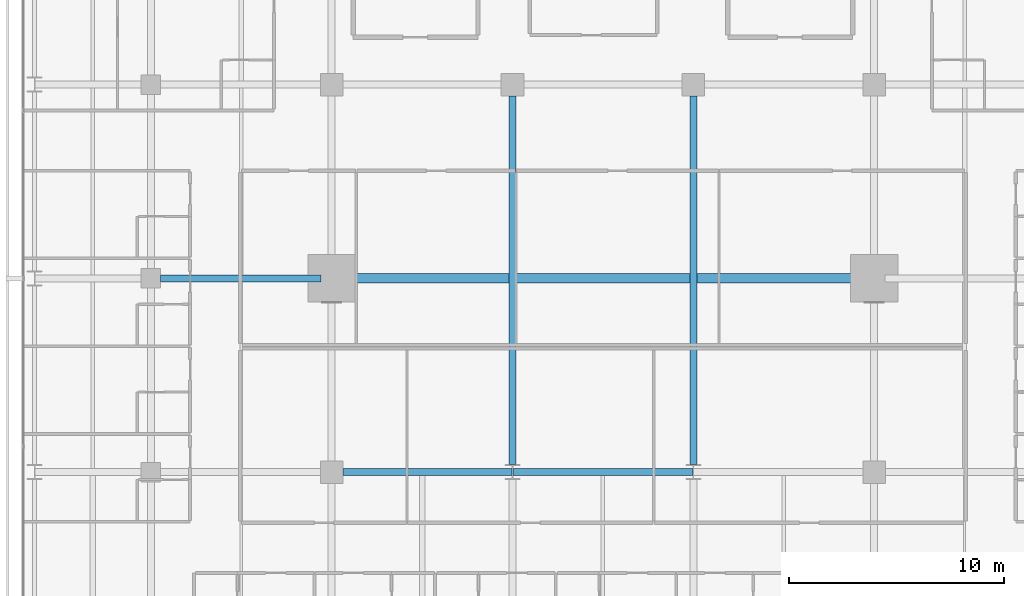
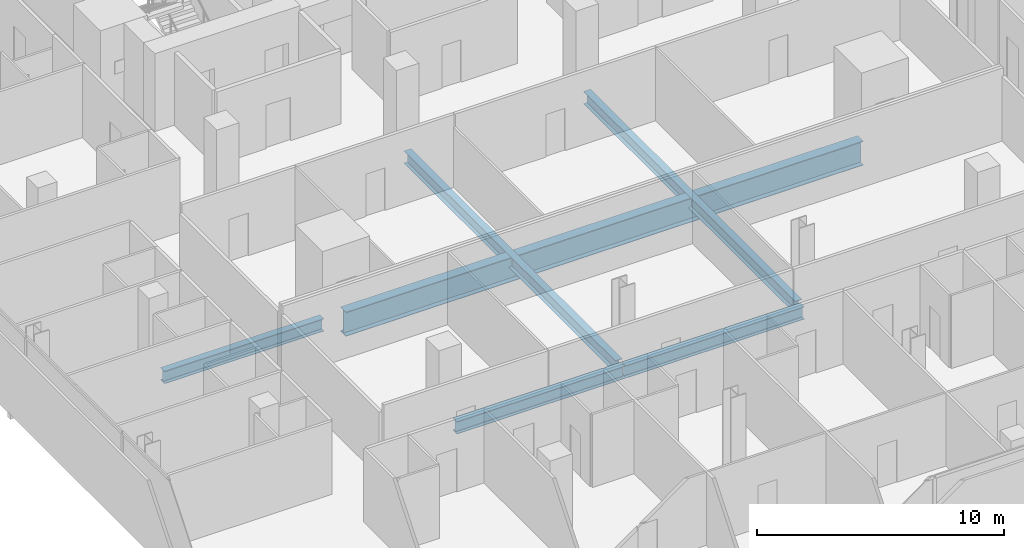
# One storey, part 13 of 40: 6 beams.
"""IFC4 building model written with IfcOpenShell, lengths in metres."""

from ifc_helpers import new_model, si_unit, direction, frame, origin, origin_2d, place, context, subcontext, project, spatial, i_section, extrude, material, material_profile, profile_set, type_object, element, save


model = new_model("IFC4")

# Units and contexts
model_context = context("Model", 3, precision=1e-05, world=origin(), true_north=direction((0.0, 1.0)))
body_context = subcontext(model_context, "Body", "Model", "MODEL_VIEW")
ifc_project = project(units=[si_unit("LENGTHUNIT", "METRE"), si_unit("AREAUNIT", "SQUARE_METRE"), si_unit("VOLUMEUNIT", "CUBIC_METRE"), si_unit("PLANEANGLEUNIT", "RADIAN"), si_unit("MASSUNIT", "GRAM", prefix="KILO")], contexts=[model_context])

# Site, building, storey
site_placement = place(None, origin())
site = spatial("IfcSite", under=ifc_project, at=site_placement, CompositionType="ELEMENT")
building_placement = place(site_placement, origin())
building = spatial("IfcBuilding", under=site, at=building_placement, Name="Maruvema Waterfront Hotel and Observation Tower", CompositionType="ELEMENT")
storey_placement = place(building_placement, frame((0.0, 0.0, 53.89990234375)))
storey = spatial("IfcBuildingStorey", under=building, at=storey_placement, Name="L12", CompositionType="ELEMENT", Elevation=53.89990234375)

# Beams
ifc_material_1 = material(Name="Steel ASTM A572 Grade 50", Category="steel")
ifc_material_profile_1 = material_profile(ifc_material_1, i_section(OverallWidth=0.326904296875, OverallDepth=0.6220703125, WebThickness=0.015380859375, FlangeThickness=0.0244140625, FilletRadius=0.01806640625, at=origin_2d()), Name="W610x195.0")
ifc_profile_set_1 = profile_set([ifc_material_profile_1], Name="Steel ASTM A572 Grade 50")
beam_type_1 = type_object("IfcBeamType", Name="Primary Floor Girder W610x195.0", PredefinedType="BEAM", material=ifc_profile_set_1)
beam_1_placement = place(storey_placement, frame((25.72509765625, 18.0, -0.55078125), z_axis=(1.0, 0.0, 0.0), x_axis=(0.0, 1.0, 0.0)))
element("IfcBeam", 1, at=beam_1_placement, inside=storey, type_object=beam_type_1, Name="L12 Floor Girder EW-15", PredefinedType="BEAM", context=body_context, shape_type="SweptSolid", body=[
    extrude(i_section(OverallWidth=0.326904296875, OverallDepth=0.6220703125, WebThickness=0.015380859375, FlangeThickness=0.0244140625, FilletRadius=0.01806640625, at=origin_2d()), origin(), (0.0, 0.0, 1.0), 7.86083984375),
])
beam_2_placement = place(storey_placement, frame((33.614013671875, 18.0, -0.55078125), z_axis=(1.0, 0.0, 0.0), x_axis=(0.0, 1.0, 0.0)))
element("IfcBeam", 2, at=beam_2_placement, inside=storey, type_object=beam_type_1, Name="L12 Floor Girder EW-16", PredefinedType="BEAM", context=body_context, shape_type="SweptSolid", body=[
    extrude(i_section(OverallWidth=0.326904296875, OverallDepth=0.6220703125, WebThickness=0.015380859375, FlangeThickness=0.0244140625, FilletRadius=0.01806640625, at=origin_2d()), origin(), (0.0, 0.0, 1.0), 8.3720703125),
])
beam_3_placement = place(storey_placement, frame((17.25, 27.0, -0.55078125), z_axis=(1.0, 0.0, 0.0), x_axis=(0.0, 1.0, 0.0)))
element("IfcBeam", 3, at=beam_3_placement, inside=storey, type_object=beam_type_1, Name="L12 Floor Girder EW-21", PredefinedType="BEAM", context=body_context, shape_type="SweptSolid", body=[
    extrude(i_section(OverallWidth=0.326904296875, OverallDepth=0.6220703125, WebThickness=0.015380859375, FlangeThickness=0.0244140625, FilletRadius=0.01806640625, at=origin_2d()), origin(), (0.0, 0.0, 1.0), 7.449951171875),
])
for number, where, z_axis, x_axis, name in (
    (4, (33.60009765625, 18.35009765625, -0.55078125), (0.0, 1.0, 0.0), (-1.0, 0.0, 0.0), "L12 Floor Girder NS-18"),
    (5, (42.0, 18.35009765625, -0.55078125), (0.0, 1.0, 0.0), (-1.0, 0.0, 0.0), "L12 Floor Girder NS-21"),
):
    element("IfcBeam", number, at=place(storey_placement, frame(where, z_axis=z_axis, x_axis=x_axis)), inside=storey, type_object=beam_type_1, Name=name, PredefinedType="BEAM", context=body_context, shape_type="SweptSolid", body=[
        extrude(i_section(OverallWidth=0.326904296875, OverallDepth=0.6220703125, WebThickness=0.015380859375, FlangeThickness=0.0244140625, FilletRadius=0.01806640625, at=origin_2d()), origin(), (0.0, 0.0, 1.0), 17.125),
    ])
ifc_material_2 = material(Name="Steel ABNT NBR 7007 AR 415 (ASTM A572 Grade 50)", Category="steel")
ifc_material_profile_2 = material_profile(ifc_material_2, i_section(OverallWidth=0.449951171875, OverallDepth=1.199951171875, WebThickness=0.01904296875, FlangeThickness=0.031982421875, at=origin_2d()), Name="VS1200x366")
ifc_profile_set_2 = profile_set([ifc_material_profile_2], Name="Steel ABNT NBR 7007 AR 415 (ASTM A572 Grade 50)")
beam_type_2 = type_object("IfcBeamType", Name="Upper Setback Transfer Girder VS1200x366", PredefinedType="USERDEFINED", material=ifc_profile_set_2)
beam_4_placement = place(storey_placement, frame((25.699951171875, 27.0, -0.83984375), z_axis=(1.0, 0.0, 0.0), x_axis=(0.0, 1.0, 0.0)))
element("IfcBeam", 6, at=beam_4_placement, inside=storey, type_object=beam_type_2, Name="L12 Floor Girder EW-22", ObjectType="TRANSFER GIRDER", PredefinedType="USERDEFINED", context=body_context, shape_type="SweptSolid", body=[
    extrude(i_section(OverallWidth=0.449951171875, OverallDepth=1.199951171875, WebThickness=0.01904296875, FlangeThickness=0.031982421875, at=origin_2d()), origin(), (0.0, 0.0, 1.0), 24.199951171875),
])

save(model, "model.ifc")
